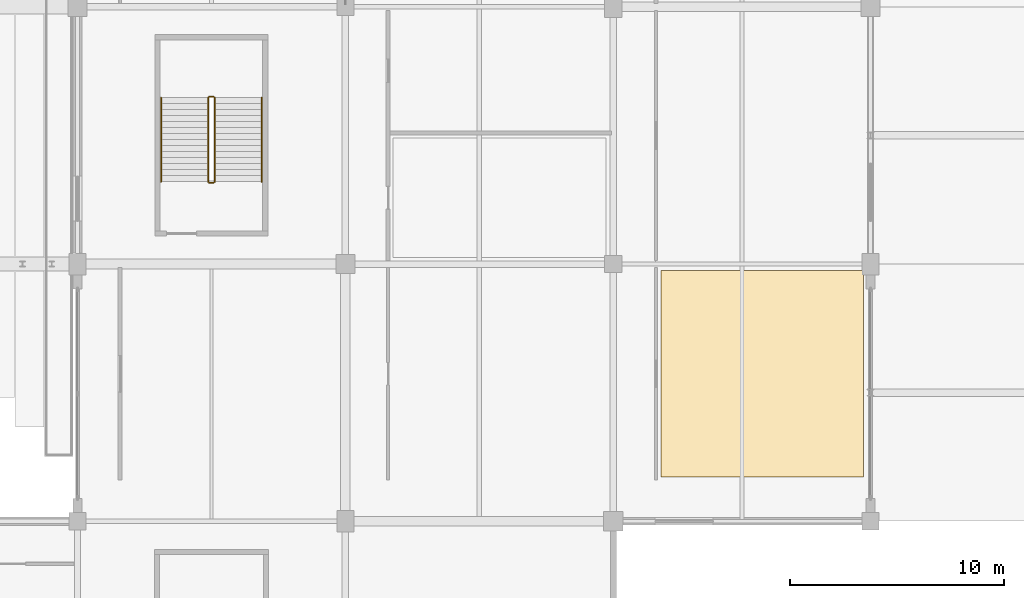
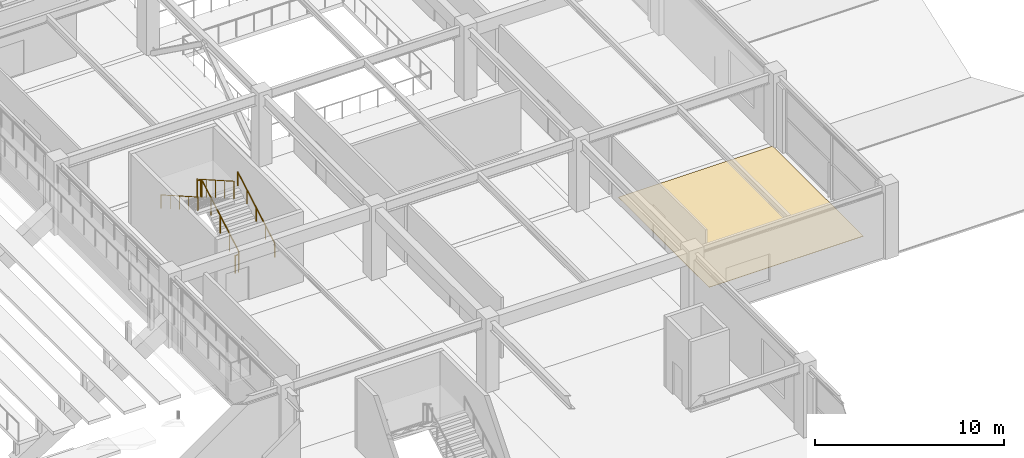
# One storey, part 117 of 134: 6 railings, 1 covering.
"""IFC4 building model written with IfcOpenShell, lengths in metres."""

from ifc_helpers import new_model, si_unit, direction, frame, origin, origin_2d, place, context, subcontext, project, spatial, polyline, circle, outline, extrude, material, layer, layer_set, type_object, element, save


model = new_model("IFC4")

# Units and contexts
model_context = context("Model", 3, precision=1e-05, world=origin(), true_north=direction((0.0, 1.0)))
body_context = subcontext(model_context, "Body", "Model", "MODEL_VIEW")
ifc_project = project(units=[si_unit("LENGTHUNIT", "METRE"), si_unit("AREAUNIT", "SQUARE_METRE"), si_unit("VOLUMEUNIT", "CUBIC_METRE"), si_unit("PLANEANGLEUNIT", "RADIAN"), si_unit("MASSUNIT", "GRAM", prefix="KILO")], contexts=[model_context])

# Site, building, storey
site_placement = place(None, origin())
site = spatial("IfcSite", under=ifc_project, at=site_placement, CompositionType="ELEMENT")
building_placement = place(site_placement, origin())
building = spatial("IfcBuilding", under=site, at=building_placement, Name="Kazenohara Klinker Stadium", CompositionType="ELEMENT")
storey_placement = place(building_placement, frame((0.0, 0.0, 5.39990234375)))
storey = spatial("IfcBuildingStorey", under=building, at=storey_placement, Name="L01", CompositionType="ELEMENT", Elevation=5.39990234375)

# Covering
ifc_material_1 = material(Name="Slip-resistant honed basalt terrazzo flooring", Category="masonry")
ifc_layer_1 = layer(ifc_material_1, 0.02001953125)
ifc_layer_set_1 = layer_set([ifc_layer_1], Name="Slip-resistant honed basalt terrazzo flooring")
covering_type = type_object("IfcCoveringType", Name="COV-FLR-01", PredefinedType="FLOORING", material=ifc_layer_set_1)
covering_placement = place(storey_placement, origin())
element("IfcCovering", 1, at=covering_placement, inside=storey, type_object=covering_type, Name="Interior floor finish FL01 Community Martial Arts Fitness Studio L01-1603A", PredefinedType="FLOORING", context=body_context, shape_type="SweptSolid", body=[
    extrude(outline(polyline([(202.22998046875, 38.070068359375), (211.669921875, 38.070068359375), (211.669921875, 47.68994140625), (202.22998046875, 47.68994140625), (202.22998046875, 38.070068359375)])), origin(), (0.0, 0.0, 1.0), 0.02001953125),
])

# Railings
ifc_material_2 = material(Name="Brushed stainless steel 304 handrail", Category="steel")
ifc_layer_2 = layer(ifc_material_2, 0.050048828125)
ifc_layer_set_2 = layer_set([ifc_layer_2], Name="Brushed stainless steel 304 handrail")
railing_type_1 = type_object("IfcRailingType", Name="RL-HND-900", PredefinedType="HANDRAIL", material=ifc_layer_set_2)
railing_1_placement = place(storey_placement, frame((183.60009765625, 51.840087890625, 0.16015625)))
element("IfcRailing", 2, at=railing_1_placement, inside=storey, type_object=railing_type_1, Name="L01 ST21 stair handrail 1", PredefinedType="HANDRAIL", context=body_context, shape_type="SweptSolid", body=[
    extrude(circle(Radius=0.02392578125, at=origin_2d()), frame((0.0, 0.0, 0.8759765625), z_axis=(0.0, 0.868239814368, 0.496144761885), x_axis=(-1.0, 0.0, 0.0)), (0.0, 0.0, 1.0), 4.514892578125),
    extrude(circle(Radius=0.02099609375, at=origin_2d()), origin(), (0.0, 0.0, 1.0), 0.851806640625),
    extrude(circle(Radius=0.02099609375, at=origin_2d()), frame((0.0, 0.97998046875, 0.56005859375)), (0.0, 0.0, 1.0), 0.851806640625),
    extrude(circle(Radius=0.02099609375, at=origin_2d()), frame((0.0, 1.9599609375, 1.1201171875)), (0.0, 0.0, 1.0), 0.851806640625),
    extrude(circle(Radius=0.02099609375, at=origin_2d()), frame((0.0, 2.93994140625, 1.679931640625)), (0.0, 0.0, 1.0), 0.851806640625),
    extrude(circle(Radius=0.02099609375, at=origin_2d()), frame((0.0, 3.919921875, 2.239990234375)), (0.0, 0.0, 1.0), 0.851806640625),
])
railing_2_placement = place(storey_placement, frame((178.89990234375, 55.760009765625, 2.56005859375)))
element("IfcRailing", 3, at=railing_2_placement, inside=storey, type_object=railing_type_1, Name="L01 ST21 stair handrail 2", PredefinedType="HANDRAIL", context=body_context, shape_type="SweptSolid", body=[
    extrude(circle(Radius=0.02392578125, at=origin_2d()), frame((0.0, 0.0, 0.8759765625), z_axis=(0.0, -0.868239814368, 0.496144761885), x_axis=(1.0, 0.0, 0.0)), (0.0, 0.0, 1.0), 4.514892578125),
    extrude(circle(Radius=0.02099609375, at=origin_2d()), origin(), (0.0, 0.0, 1.0), 0.851806640625),
    extrude(circle(Radius=0.02099609375, at=origin_2d()), frame((0.0, -0.97998046875, 0.56005859375)), (0.0, 0.0, 1.0), 0.851806640625),
    extrude(circle(Radius=0.02099609375, at=origin_2d()), frame((0.0, -1.9599609375, 1.1201171875)), (0.0, 0.0, 1.0), 0.851806640625),
    extrude(circle(Radius=0.02099609375, at=origin_2d()), frame((0.0, -2.93994140625, 1.679931640625)), (0.0, 0.0, 1.0), 0.851806640625),
    extrude(circle(Radius=0.02099609375, at=origin_2d()), frame((0.0, -3.919921875, 2.239990234375)), (0.0, 0.0, 1.0), 0.851806640625),
])
ifc_material_3 = material(Name="Painted steel stairwell guardrail", Category="steel")
ifc_layer_3 = layer(ifc_material_3, 0.06005859375)
ifc_layer_set_3 = layer_set([ifc_layer_3], Name="Painted steel stairwell guardrail")
railing_type_2 = type_object("IfcRailingType", Name="RL-STG-1120", PredefinedType="GUARDRAIL", material=ifc_layer_set_3)
railing_3_placement = place(storey_placement, frame((181.39990234375, 51.840087890625, 0.16015625)))
element("IfcRailing", 4, at=railing_3_placement, inside=storey, type_object=railing_type_2, Name="L01 ST21 stair guard 1", PredefinedType="GUARDRAIL", context=body_context, shape_type="SweptSolid", body=[
    extrude(circle(Radius=0.02392578125, at=origin_2d()), frame((0.0, 0.0, 1.1259765625), z_axis=(0.0, 0.868239814368, 0.496144761885), x_axis=(-1.0, 0.0, 0.0)), (0.0, 0.0, 1.0), 4.514892578125),
    extrude(circle(Radius=0.02099609375, at=origin_2d()), origin(), (0.0, 0.0, 1.0), 1.101806640625),
    extrude(circle(Radius=0.02099609375, at=origin_2d()), frame((0.0, 0.97998046875, 0.56005859375)), (0.0, 0.0, 1.0), 1.101806640625),
    extrude(circle(Radius=0.02099609375, at=origin_2d()), frame((0.0, 1.9599609375, 1.1201171875)), (0.0, 0.0, 1.0), 1.101806640625),
    extrude(circle(Radius=0.02099609375, at=origin_2d()), frame((0.0, 2.93994140625, 1.679931640625)), (0.0, 0.0, 1.0), 1.101806640625),
    extrude(circle(Radius=0.02099609375, at=origin_2d()), frame((0.0, 3.919921875, 2.239990234375)), (0.0, 0.0, 1.0), 1.101806640625),
])
railing_4_placement = place(storey_placement, frame((181.35009765625, 55.81005859375, 2.400146484375)))
element("IfcRailing", 5, at=railing_4_placement, inside=storey, type_object=railing_type_2, Name="L01 ST21 stair guard 2", PredefinedType="GUARDRAIL", context=body_context, shape_type="SweptSolid", body=[
    extrude(circle(Radius=0.02392578125, at=origin_2d()), frame((0.0, 0.0, 1.1259765625), z_axis=(-1.0, 0.0, 0.0), x_axis=(0.0, -1.0, 0.0)), (0.0, 0.0, 1.0), 0.2001953125),
    extrude(circle(Radius=0.02099609375, at=origin_2d()), origin(), (0.0, 0.0, 1.0), 1.101806640625),
    extrude(circle(Radius=0.02099609375, at=origin_2d()), frame((-0.2001953125, 0.0, 0.0)), (0.0, 0.0, 1.0), 1.101806640625),
])
railing_5_placement = place(storey_placement, frame((181.10009765625, 55.760009765625, 2.56005859375)))
element("IfcRailing", 6, at=railing_5_placement, inside=storey, type_object=railing_type_2, Name="L01 ST21 stair guard 3", PredefinedType="GUARDRAIL", context=body_context, shape_type="SweptSolid", body=[
    extrude(circle(Radius=0.02392578125, at=origin_2d()), frame((0.0, 0.0, 1.1259765625), z_axis=(0.0, -0.868239814368, 0.496144761885), x_axis=(1.0, 0.0, 0.0)), (0.0, 0.0, 1.0), 4.514892578125),
    extrude(circle(Radius=0.02099609375, at=origin_2d()), origin(), (0.0, 0.0, 1.0), 1.101806640625),
    extrude(circle(Radius=0.02099609375, at=origin_2d()), frame((0.0, -0.97998046875, 0.56005859375)), (0.0, 0.0, 1.0), 1.101806640625),
    extrude(circle(Radius=0.02099609375, at=origin_2d()), frame((0.0, -1.9599609375, 1.1201171875)), (0.0, 0.0, 1.0), 1.101806640625),
    extrude(circle(Radius=0.02099609375, at=origin_2d()), frame((0.0, -2.93994140625, 1.679931640625)), (0.0, 0.0, 1.0), 1.101806640625),
    extrude(circle(Radius=0.02099609375, at=origin_2d()), frame((0.0, -3.919921875, 2.239990234375)), (0.0, 0.0, 1.0), 1.101806640625),
])
railing_6_placement = place(storey_placement, frame((181.35009765625, 51.7900390625, 0.0)))
element("IfcRailing", 7, at=railing_6_placement, inside=storey, type_object=railing_type_2, Name="L01 ST21 stair guard 4", PredefinedType="GUARDRAIL", context=body_context, shape_type="SweptSolid", body=[
    extrude(circle(Radius=0.02392578125, at=origin_2d()), frame((0.0, 0.0, 1.1259765625), z_axis=(-1.0, 0.0, 0.0), x_axis=(0.0, -1.0, 0.0)), (0.0, 0.0, 1.0), 0.2001953125),
    extrude(circle(Radius=0.02099609375, at=origin_2d()), origin(), (0.0, 0.0, 1.0), 1.101806640625),
    extrude(circle(Radius=0.02099609375, at=origin_2d()), frame((-0.2001953125, 0.0, 0.0)), (0.0, 0.0, 1.0), 1.101806640625),
])

save(model, "model.ifc")
